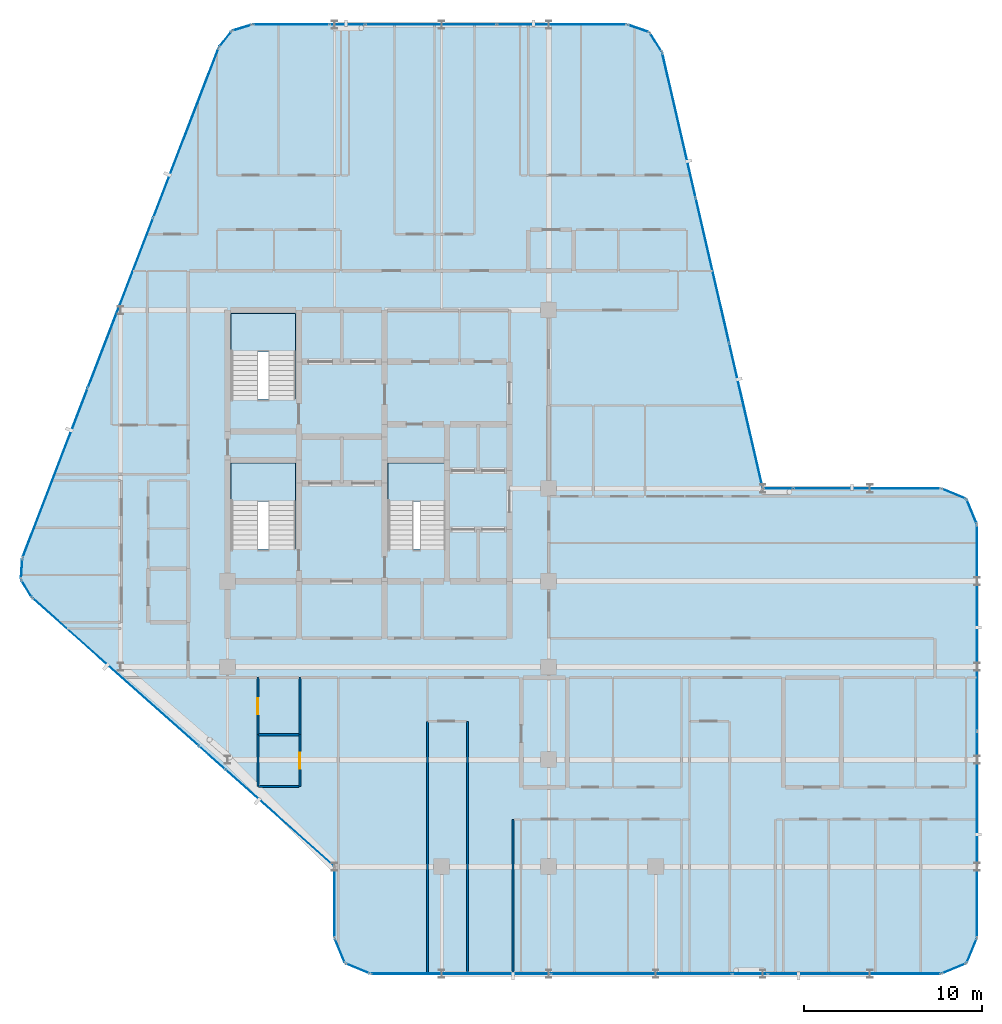
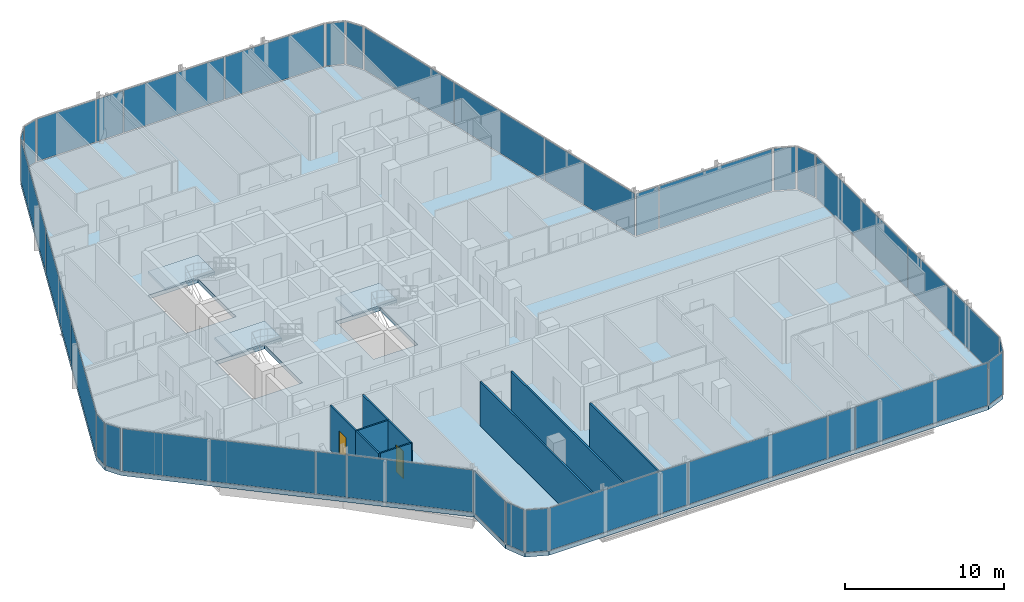
# One storey, part 22 of 29: 34 plates, 9 walls, 4 slabs, 2 doors, 2 openings, 30 elements without a shape of their own.
"""IFC4 building model written with IfcOpenShell, lengths in metres."""

from ifc_helpers import new_model, si_unit, direction, frame, frame_2d, origin, origin_2d, place, context, subcontext, project, spatial, polyline, rectangle, outline, extrude, material, layer, layer_set, type_object, element, fill, aggregate, save


model = new_model("IFC4")

# Units and contexts
model_context = context("Model", 3, precision=1e-05, world=origin(), true_north=direction((0.0, 1.0)))
body_context = subcontext(model_context, "Body", "Model", "MODEL_VIEW")
ifc_project = project(units=[si_unit("LENGTHUNIT", "METRE"), si_unit("AREAUNIT", "SQUARE_METRE"), si_unit("VOLUMEUNIT", "CUBIC_METRE"), si_unit("PLANEANGLEUNIT", "RADIAN"), si_unit("MASSUNIT", "GRAM", prefix="KILO")], contexts=[model_context])

# Site, building, storey
site_placement = place(None, origin())
site = spatial("IfcSite", under=ifc_project, at=site_placement, CompositionType="ELEMENT")
building_placement = place(site_placement, origin())
building = spatial("IfcBuilding", under=site, at=building_placement, Name="Keshet Zoharim Tower", CompositionType="ELEMENT")
storey_placement = place(building_placement, frame((0.0, 0.0, 188.39990234375)))
storey = spatial("IfcBuildingStorey", under=building, at=storey_placement, Name="L46", CompositionType="ELEMENT", Elevation=188.39990234375)

# Curtain wall, plate
ifc_material_1 = material(Name="Aluminium 6063-T6", Category="aluminium")
ifc_layer_1 = layer(ifc_material_1, 0.139892578125)
ifc_layer_set_1 = layer_set([ifc_layer_1], Name="Aluminium 6063-T6")
curtain_wall_type = type_object("IfcCurtainWallType", Name="CW-SYS-05", PredefinedType="NOTDEFINED", material=ifc_layer_set_1)
curtain_wall_1_placement = place(storey_placement, origin())
curtain_wall_1 = element("IfcCurtainWall", 1, at=curtain_wall_1_placement, inside=storey, type_object=curtain_wall_type, Name="L46 Unitised Curtain Wall 01", PredefinedType="NOTDEFINED")
ifc_material_2 = material(Name="Insulated Low-E Clear Glass", Category="glass")
ifc_layer_2 = layer(ifc_material_2, 0.031982421875)
ifc_layer_set_2 = layer_set([ifc_layer_2], Name="Insulated Low-E Clear Glass")
plate_type_1 = type_object("IfcPlateType", Name="CWP-02", PredefinedType="CURTAIN_PANEL", material=ifc_layer_set_2)
plate_1_placement = place(storey_placement, frame((55.70703125, 27.60693359375, 0.070068359375), z_axis=(0.0, 0.0, 1.0), x_axis=(0.92380975372, -0.382851849847, 0.0)))
plate_1 = element("IfcPlate", 2, at=plate_1_placement, type_object=plate_type_1, Name="CW-05 panel 1.1", PredefinedType="CURTAIN_PANEL", context=body_context, shape_type="SweptSolid", body=[
    extrude(rectangle(XDim=1.390625, YDim=0.031982421875, at=origin_2d()), origin(), (0.0, 0.0, 1.0), 3.25),
])
aggregate(curtain_wall_1, [plate_1])

curtain_wall_2_placement = place(storey_placement, origin())
curtain_wall_2 = element("IfcCurtainWall", 3, at=curtain_wall_2_placement, inside=storey, type_object=curtain_wall_type, Name="L46 Unitised Curtain Wall 02", PredefinedType="NOTDEFINED")
plate_2_placement = place(storey_placement, frame((56.70703125, 26.60693359375, 0.070068359375), z_axis=(0.0, 0.0, 1.0), x_axis=(0.382851849847, -0.92380975372, 0.0)))
plate_2 = element("IfcPlate", 4, at=plate_2_placement, type_object=plate_type_1, Name="CW-05 panel 1.1", PredefinedType="CURTAIN_PANEL", context=body_context, shape_type="SweptSolid", body=[
    extrude(rectangle(XDim=1.390625, YDim=0.031982421875, at=origin_2d()), origin(), (0.0, 0.0, 1.0), 3.25),
])
aggregate(curtain_wall_2, [plate_2])

# Curtain wall, plates
curtain_wall_3_placement = place(storey_placement, origin())
curtain_wall_3 = element("IfcCurtainWall", 5, at=curtain_wall_3_placement, inside=storey, type_object=curtain_wall_type, Name="L46 Unitised Curtain Wall 03", PredefinedType="NOTDEFINED")
plate_3_placement = place(storey_placement, frame((57.0, 20.08251953125, 0.070068359375), z_axis=(0.0, 0.0, 1.0), x_axis=(0.0, -1.0, 0.0)))
plate_3 = element("IfcPlate", 6, at=plate_3_placement, type_object=plate_type_1, Name="CW-05 panel 1.1", PredefinedType="CURTAIN_PANEL", context=body_context, shape_type="SweptSolid", body=[
    extrude(rectangle(XDim=11.4951171875, YDim=0.031982421875, at=origin_2d()), origin(), (0.0, 0.0, 1.0), 3.25),
])
plate_4_placement = place(storey_placement, frame((57.0, 8.517578125, 0.070068359375), z_axis=(0.0, 0.0, 1.0), x_axis=(0.0, -1.0, 0.0)))
plate_4 = element("IfcPlate", 7, at=plate_4_placement, type_object=plate_type_1, Name="CW-05 panel 2.1", PredefinedType="CURTAIN_PANEL", context=body_context, shape_type="SweptSolid", body=[
    extrude(rectangle(XDim=11.4951171875, YDim=0.031982421875, at=origin_2d()), origin(), (0.0, 0.0, 1.0), 3.25),
])
aggregate(curtain_wall_3, [plate_3, plate_4])

# Curtain wall, plate
curtain_wall_4_placement = place(storey_placement, origin())
curtain_wall_4 = element("IfcCurtainWall", 8, at=curtain_wall_4_placement, inside=storey, type_object=curtain_wall_type, Name="L46 Unitised Curtain Wall 04", PredefinedType="NOTDEFINED")
plate_5_placement = place(storey_placement, frame((56.70703125, 1.992919921875, 0.070068359375), z_axis=(0.0, 0.0, 1.0), x_axis=(-0.382851849847, -0.92380975372, 0.0)))
plate_5 = element("IfcPlate", 9, at=plate_5_placement, type_object=plate_type_1, Name="CW-05 panel 1.1", PredefinedType="CURTAIN_PANEL", context=body_context, shape_type="SweptSolid", body=[
    extrude(rectangle(XDim=1.390625, YDim=0.031982421875, at=origin_2d()), origin(), (0.0, 0.0, 1.0), 3.25),
])
aggregate(curtain_wall_4, [plate_5])

curtain_wall_5_placement = place(storey_placement, origin())
curtain_wall_5 = element("IfcCurtainWall", 10, at=curtain_wall_5_placement, inside=storey, type_object=curtain_wall_type, Name="L46 Unitised Curtain Wall 05", PredefinedType="NOTDEFINED")
plate_6_placement = place(storey_placement, frame((55.70703125, 0.992919921875, 0.070068359375), z_axis=(0.0, 0.0, 1.0), x_axis=(-0.92380975372, -0.382851849847, 0.0)))
plate_6 = element("IfcPlate", 11, at=plate_6_placement, type_object=plate_type_1, Name="CW-05 panel 1.1", PredefinedType="CURTAIN_PANEL", context=body_context, shape_type="SweptSolid", body=[
    extrude(rectangle(XDim=1.390625, YDim=0.031982421875, at=origin_2d()), origin(), (0.0, 0.0, 1.0), 3.25),
])
aggregate(curtain_wall_5, [plate_6])

curtain_wall_6_placement = place(storey_placement, origin())
curtain_wall_6 = element("IfcCurtainWall", 12, at=curtain_wall_6_placement, inside=storey, type_object=curtain_wall_type, Name="L46 Unitised Curtain Wall 06", PredefinedType="NOTDEFINED")
plate_7_placement = place(storey_placement, frame((50.1240234375, 0.699951171875, 0.070068359375), z_axis=(0.0, 0.0, 1.0), x_axis=(-1.0, 0.0, 0.0)))
plate_7 = element("IfcPlate", 13, at=plate_7_placement, type_object=plate_type_1, Name="CW-05 panel 1.1", PredefinedType="CURTAIN_PANEL", context=body_context, shape_type="SweptSolid", body=[
    extrude(rectangle(XDim=9.61181640625, YDim=0.031982421875, at=origin_2d()), origin(), (0.0, 0.0, 1.0), 3.25),
])
aggregate(curtain_wall_6, [plate_7])

# Curtain wall, plates
curtain_wall_7_placement = place(storey_placement, origin())
curtain_wall_7 = element("IfcCurtainWall", 14, at=curtain_wall_7_placement, inside=storey, type_object=curtain_wall_type, Name="L46 Unitised Curtain Wall 06 Part 3", PredefinedType="NOTDEFINED")
plate_8_placement = place(storey_placement, frame((38.20654296875, 0.699951171875, 0.070068359375), z_axis=(0.0, 0.0, 1.0), x_axis=(-1.0, 0.0, 0.0)))
plate_8 = element("IfcPlate", 15, at=plate_8_placement, type_object=plate_type_1, Name="CW-05 panel 1.1", PredefinedType="CURTAIN_PANEL", context=body_context, shape_type="SweptSolid", body=[
    extrude(rectangle(XDim=10.091064453125, YDim=0.031982421875, at=origin_2d()), origin(), (0.0, 0.0, 1.0), 3.25),
])
plate_9_placement = place(storey_placement, frame((28.08056640625, 0.699951171875, 0.070068359375), z_axis=(0.0, 0.0, 1.0), x_axis=(-1.0, 0.0, 0.0)))
plate_9 = element("IfcPlate", 16, at=plate_9_placement, type_object=plate_type_1, Name="CW-05 panel 2.1", PredefinedType="CURTAIN_PANEL", context=body_context, shape_type="SweptSolid", body=[
    extrude(rectangle(XDim=10.02099609375, YDim=0.031982421875, at=origin_2d()), origin(), (0.0, 0.0, 1.0), 3.25),
])
aggregate(curtain_wall_7, [plate_8, plate_9])

# Curtain wall, plate
curtain_wall_8_placement = place(storey_placement, origin())
curtain_wall_8 = element("IfcCurtainWall", 17, at=curtain_wall_8_placement, inside=storey, type_object=curtain_wall_type, Name="L46 Unitised Curtain Wall 07", PredefinedType="NOTDEFINED")
plate_10_placement = place(storey_placement, frame((22.29296875, 0.992919921875, 0.070068359375), z_axis=(0.0, 0.0, 1.0), x_axis=(-0.92380975372, 0.382851849847, 0.0)))
plate_10 = element("IfcPlate", 18, at=plate_10_placement, type_object=plate_type_1, Name="CW-05 panel 1.1", PredefinedType="CURTAIN_PANEL", context=body_context, shape_type="SweptSolid", body=[
    extrude(rectangle(XDim=1.390625, YDim=0.031982421875, at=origin_2d()), origin(), (0.0, 0.0, 1.0), 3.25),
])
aggregate(curtain_wall_8, [plate_10])

curtain_wall_9_placement = place(storey_placement, origin())
curtain_wall_9 = element("IfcCurtainWall", 19, at=curtain_wall_9_placement, inside=storey, type_object=curtain_wall_type, Name="L46 Unitised Curtain Wall 08", PredefinedType="NOTDEFINED")
plate_11_placement = place(storey_placement, frame((21.29296875, 1.992919921875, 0.070068359375), z_axis=(0.0, 0.0, 1.0), x_axis=(-0.382851849847, 0.92380975372, 0.0)))
plate_11 = element("IfcPlate", 20, at=plate_11_placement, type_object=plate_type_1, Name="CW-05 panel 1.1", PredefinedType="CURTAIN_PANEL", context=body_context, shape_type="SweptSolid", body=[
    extrude(rectangle(XDim=1.390625, YDim=0.031982421875, at=origin_2d()), origin(), (0.0, 0.0, 1.0), 3.25),
])
aggregate(curtain_wall_9, [plate_11])

curtain_wall_10_placement = place(storey_placement, origin())
curtain_wall_10 = element("IfcCurtainWall", 21, at=curtain_wall_10_placement, inside=storey, type_object=curtain_wall_type, Name="L46 Unitised Curtain Wall 09", PredefinedType="NOTDEFINED")
plate_12_placement = place(storey_placement, frame((21.0, 4.699951171875, 0.070068359375), z_axis=(0.0, 0.0, 1.0), x_axis=(0.0, 1.0, 0.0)))
plate_12 = element("IfcPlate", 22, at=plate_12_placement, type_object=plate_type_1, Name="CW-05 panel 1.1", PredefinedType="CURTAIN_PANEL", context=body_context, shape_type="SweptSolid", body=[
    extrude(rectangle(XDim=3.860107421875, YDim=0.031982421875, at=origin_2d()), origin(), (0.0, 0.0, 1.0), 3.25),
])
aggregate(curtain_wall_10, [plate_12])

curtain_wall_11_placement = place(storey_placement, origin())
curtain_wall_11 = element("IfcCurtainWall", 23, at=curtain_wall_11_placement, inside=storey, type_object=curtain_wall_type, Name="L46 Unitised Curtain Wall 10", PredefinedType="NOTDEFINED")
plate_13_placement = place(storey_placement, frame((17.92724609375, 9.431396484375, 0.070068359375), z_axis=(0.0, 0.0, 1.0), x_axis=(-0.74740596379, 0.664367613066, 0.0)))
plate_13 = element("IfcPlate", 24, at=plate_13_placement, type_object=plate_type_1, Name="CW-05 panel 1.1", PredefinedType="CURTAIN_PANEL", context=body_context, shape_type="SweptSolid", body=[
    extrude(rectangle(XDim=8.082763671875, YDim=0.031982421875, at=origin_2d()), origin(), (0.0, 0.0, 1.0), 3.25),
])
aggregate(curtain_wall_11, [plate_13])

curtain_wall_12_placement = place(storey_placement, origin())
curtain_wall_12 = element("IfcCurtainWall", 25, at=curtain_wall_12_placement, inside=storey, type_object=curtain_wall_type, Name="L46 Unitised Curtain Wall 10 Part 3", PredefinedType="NOTDEFINED")
plate_14_placement = place(storey_placement, frame((8.724853515625, 17.611328125, 0.070068359375), z_axis=(0.0, 0.0, 1.0), x_axis=(-0.747406666066, 0.664366823013, 0.0)))
plate_14 = element("IfcPlate", 26, at=plate_14_placement, type_object=plate_type_1, Name="CW-05 panel 1.1", PredefinedType="CURTAIN_PANEL", context=body_context, shape_type="SweptSolid", body=[
    extrude(rectangle(XDim=12.40966796875, YDim=0.031982421875, at=origin_2d()), origin(), (0.0, 0.0, 1.0), 3.25),
])
aggregate(curtain_wall_12, [plate_14])

curtain_wall_13_placement = place(storey_placement, origin())
curtain_wall_13 = element("IfcCurtainWall", 27, at=curtain_wall_13_placement, inside=storey, type_object=curtain_wall_type, Name="L46 Unitised Curtain Wall 11", PredefinedType="NOTDEFINED")
plate_15_placement = place(storey_placement, frame((3.7275390625, 22.291015625, 0.070068359375), z_axis=(0.0, 0.0, 1.0), x_axis=(-0.515604947933, 0.856826433805, 0.0)))
plate_15 = element("IfcPlate", 28, at=plate_15_placement, type_object=plate_type_1, Name="CW-05 panel 1.1", PredefinedType="CURTAIN_PANEL", context=body_context, shape_type="SweptSolid", body=[
    extrude(rectangle(XDim=1.052734375, YDim=0.031982421875, at=origin_2d()), origin(), (0.0, 0.0, 1.0), 3.25),
])
aggregate(curtain_wall_13, [plate_15])

curtain_wall_14_placement = place(storey_placement, origin())
curtain_wall_14 = element("IfcCurtainWall", 29, at=curtain_wall_14_placement, inside=storey, type_object=curtain_wall_type, Name="L46 Unitised Curtain Wall 12", PredefinedType="NOTDEFINED")
plate_16_placement = place(storey_placement, frame((3.45849609375, 23.3974609375, 0.070068359375), z_axis=(0.0, 0.0, 1.0), x_axis=(0.064516859374, 0.997916617186, 0.0)))
plate_16 = element("IfcPlate", 30, at=plate_16_placement, type_object=plate_type_1, Name="CW-05 panel 1.1", PredefinedType="CURTAIN_PANEL", context=body_context, shape_type="SweptSolid", body=[
    extrude(rectangle(XDim=1.053466796875, YDim=0.031982421875, at=origin_2d()), origin(), (0.0, 0.0, 1.0), 3.25),
])
aggregate(curtain_wall_14, [plate_16])

# Curtain wall, plates
curtain_wall_15_placement = place(storey_placement, origin())
curtain_wall_15 = element("IfcCurtainWall", 31, at=curtain_wall_15_placement, inside=storey, type_object=curtain_wall_type, Name="L46 Unitised Curtain Wall 13", PredefinedType="NOTDEFINED")
plate_17_placement = place(storey_placement, frame((5.33837890625, 28.7802734375, 0.070068359375), z_axis=(0.0, 0.0, 1.0), x_axis=(0.358990003907, 0.933341404361, 0.0)))
plate_17 = element("IfcPlate", 32, at=plate_17_placement, type_object=plate_type_1, Name="CW-05 panel 1.1", PredefinedType="CURTAIN_PANEL", context=body_context, shape_type="SweptSolid", body=[
    extrude(rectangle(XDim=10.1181640625, YDim=0.031982421875, at=origin_2d()), origin(), (0.0, 0.0, 1.0), 3.25),
])
plate_18_placement = place(storey_placement, frame((9.001953125, 38.305419921875, 0.070068359375), z_axis=(0.0, 0.0, 1.0), x_axis=(0.358990003907, 0.933341404361, 0.0)))
plate_18 = element("IfcPlate", 33, at=plate_18_placement, type_object=plate_type_1, Name="CW-05 panel 2.1", PredefinedType="CURTAIN_PANEL", context=body_context, shape_type="SweptSolid", body=[
    extrude(rectangle(XDim=10.153076171875, YDim=0.031982421875, at=origin_2d()), origin(), (0.0, 0.0, 1.0), 3.25),
])
plate_19_placement = place(storey_placement, frame((12.665771484375, 47.830810546875, 0.070068359375), z_axis=(0.0, 0.0, 1.0), x_axis=(0.358990003907, 0.933341404361, 0.0)))
plate_19 = element("IfcPlate", 34, at=plate_19_placement, type_object=plate_type_1, Name="CW-05 panel 3.1", PredefinedType="CURTAIN_PANEL", context=body_context, shape_type="SweptSolid", body=[
    extrude(rectangle(XDim=10.1181640625, YDim=0.031982421875, at=origin_2d()), origin(), (0.0, 0.0, 1.0), 3.25),
])
aggregate(curtain_wall_15, [plate_17, plate_18, plate_19])

# Curtain wall, plate
curtain_wall_16_placement = place(storey_placement, origin())
curtain_wall_16 = element("IfcCurtainWall", 35, at=curtain_wall_16_placement, inside=storey, type_object=curtain_wall_type, Name="L46 Unitised Curtain Wall 14", PredefinedType="NOTDEFINED")
plate_20_placement = place(storey_placement, frame((14.8740234375, 53.08349609375, 0.070068359375), z_axis=(0.0, 0.0, 1.0), x_axis=(0.619124525989, 0.785292825205, 0.0)))
plate_20 = element("IfcPlate", 36, at=plate_20_placement, type_object=plate_type_1, Name="CW-05 panel 1.1", PredefinedType="CURTAIN_PANEL", context=body_context, shape_type="SweptSolid", body=[
    extrude(rectangle(XDim=1.045654296875, YDim=0.031982421875, at=origin_2d()), origin(), (0.0, 0.0, 1.0), 3.25),
])
aggregate(curtain_wall_16, [plate_20])

curtain_wall_17_placement = place(storey_placement, origin())
curtain_wall_17 = element("IfcCurtainWall", 37, at=curtain_wall_17_placement, inside=storey, type_object=curtain_wall_type, Name="L46 Unitised Curtain Wall 15", PredefinedType="NOTDEFINED")
plate_21_placement = place(storey_placement, frame((15.8076171875, 53.724609375, 0.070068359375), z_axis=(0.0, 0.0, 1.0), x_axis=(0.955212151288, 0.295921857984, 0.0)))
plate_21 = element("IfcPlate", 38, at=plate_21_placement, type_object=plate_type_1, Name="CW-05 panel 1.1", PredefinedType="CURTAIN_PANEL", context=body_context, shape_type="SweptSolid", body=[
    extrude(rectangle(XDim=1.046142578125, YDim=0.031982421875, at=origin_2d()), origin(), (0.0, 0.0, 1.0), 3.25),
])
aggregate(curtain_wall_17, [plate_21])

curtain_wall_18_placement = place(storey_placement, origin())
curtain_wall_18 = element("IfcCurtainWall", 39, at=curtain_wall_18_placement, inside=storey, type_object=curtain_wall_type, Name="L46 Unitised Curtain Wall 16", PredefinedType="NOTDEFINED")
plate_22_placement = place(storey_placement, frame((18.56298828125, 53.89990234375, 0.070068359375), z_axis=(0.0, 0.0, 1.0), x_axis=(1.0, 0.0, 0.0)))
plate_22 = element("IfcPlate", 40, at=plate_22_placement, type_object=plate_type_1, Name="CW-05 panel 1.1", PredefinedType="CURTAIN_PANEL", context=body_context, shape_type="SweptSolid", body=[
    extrude(rectangle(XDim=4.23779296875, YDim=0.031982421875, at=origin_2d()), origin(), (0.0, 0.0, 1.0), 3.25),
])
aggregate(curtain_wall_18, [plate_22])

# Curtain wall, plates
curtain_wall_19_placement = place(storey_placement, origin())
curtain_wall_19 = element("IfcCurtainWall", 41, at=curtain_wall_19_placement, inside=storey, type_object=curtain_wall_type, Name="L46 Unitised Curtain Wall 16 Part 3", PredefinedType="NOTDEFINED")
plate_23_placement = place(storey_placement, frame((26.395751953125, 53.89990234375, 0.070068359375), z_axis=(0.0, 0.0, 1.0), x_axis=(1.0, 0.0, 0.0)))
plate_23 = element("IfcPlate", 42, at=plate_23_placement, type_object=plate_type_1, Name="CW-05 panel 1.1", PredefinedType="CURTAIN_PANEL", context=body_context, shape_type="SweptSolid", body=[
    extrude(rectangle(XDim=7.29541015625, YDim=0.031982421875, at=origin_2d()), origin(), (0.0, 0.0, 1.0), 3.25),
])
plate_24_placement = place(storey_placement, frame((33.726318359375, 53.89990234375, 0.070068359375), z_axis=(0.0, 0.0, 1.0), x_axis=(1.0, 0.0, 0.0)))
plate_24 = element("IfcPlate", 43, at=plate_24_placement, type_object=plate_type_1, Name="CW-05 panel 2.1", PredefinedType="CURTAIN_PANEL", context=body_context, shape_type="SweptSolid", body=[
    extrude(rectangle(XDim=7.225341796875, YDim=0.031982421875, at=origin_2d()), origin(), (0.0, 0.0, 1.0), 3.25),
])
aggregate(curtain_wall_19, [plate_23, plate_24])

# Curtain wall, plate
curtain_wall_20_placement = place(storey_placement, origin())
curtain_wall_20 = element("IfcCurtainWall", 44, at=curtain_wall_20_placement, inside=storey, type_object=curtain_wall_type, Name="L46 Unitised Curtain Wall 17", PredefinedType="NOTDEFINED")
plate_25_placement = place(storey_placement, frame((38.031494140625, 53.6826171875, 0.070068359375), z_axis=(0.0, 0.0, 1.0), x_axis=(0.944035542119, -0.329843743636, 0.0)))
plate_25 = element("IfcPlate", 45, at=plate_25_placement, type_object=plate_type_1, Name="CW-05 panel 1.1", PredefinedType="CURTAIN_PANEL", context=body_context, shape_type="SweptSolid", body=[
    extrude(rectangle(XDim=1.1787109375, YDim=0.031982421875, at=origin_2d()), origin(), (0.0, 0.0, 1.0), 3.25),
])
aggregate(curtain_wall_20, [plate_25])

curtain_wall_21_placement = place(storey_placement, origin())
curtain_wall_21 = element("IfcCurtainWall", 46, at=curtain_wall_21_placement, inside=storey, type_object=curtain_wall_type, Name="L46 Unitised Curtain Wall 18", PredefinedType="NOTDEFINED")
plate_26_placement = place(storey_placement, frame((39.006103515625, 52.907470703125, 0.070068359375), z_axis=(0.0, 0.0, 1.0), x_axis=(0.533878858502, -0.845560976183, 0.0)))
plate_26 = element("IfcPlate", 47, at=plate_26_placement, type_object=plate_type_1, Name="CW-05 panel 1.1", PredefinedType="CURTAIN_PANEL", context=body_context, shape_type="SweptSolid", body=[
    extrude(rectangle(XDim=1.1787109375, YDim=0.031982421875, at=origin_2d()), origin(), (0.0, 0.0, 1.0), 3.25),
])
aggregate(curtain_wall_21, [plate_26])

# Curtain wall, plates
curtain_wall_22_placement = place(storey_placement, origin())
curtain_wall_22 = element("IfcCurtainWall", 48, at=curtain_wall_22_placement, inside=storey, type_object=curtain_wall_type, Name="L46 Unitised Curtain Wall 19", PredefinedType="NOTDEFINED")
plate_27_placement = place(storey_placement, frame((40.30224609375, 48.258056640625, 0.070068359375), z_axis=(0.0, 0.0, 1.0), x_axis=(0.224847864369, -0.974393882313, 0.0)))
plate_27 = element("IfcPlate", 49, at=plate_27_placement, type_object=plate_type_1, Name="CW-05 panel 1.1", PredefinedType="CURTAIN_PANEL", context=body_context, shape_type="SweptSolid", body=[
    extrude(rectangle(XDim=8.25927734375, YDim=0.031982421875, at=origin_2d()), origin(), (0.0, 0.0, 1.0), 3.25),
])
plate_28_placement = place(storey_placement, frame((42.178955078125, 40.125, 0.070068359375), z_axis=(0.0, 0.0, 1.0), x_axis=(0.224847864369, -0.974393882313, 0.0)))
plate_28 = element("IfcPlate", 50, at=plate_28_placement, type_object=plate_type_1, Name="CW-05 panel 2.1", PredefinedType="CURTAIN_PANEL", context=body_context, shape_type="SweptSolid", body=[
    extrude(rectangle(XDim=8.294189453125, YDim=0.031982421875, at=origin_2d()), origin(), (0.0, 0.0, 1.0), 3.25),
])
plate_29_placement = place(storey_placement, frame((44.0556640625, 31.991943359375, 0.070068359375), z_axis=(0.0, 0.0, 1.0), x_axis=(0.224847864369, -0.974393882313, 0.0)))
plate_29 = element("IfcPlate", 51, at=plate_29_placement, type_object=plate_type_1, Name="CW-05 panel 3.1", PredefinedType="CURTAIN_PANEL", context=body_context, shape_type="SweptSolid", body=[
    extrude(rectangle(XDim=8.25927734375, YDim=0.031982421875, at=origin_2d()), origin(), (0.0, 0.0, 1.0), 3.25),
])
aggregate(curtain_wall_22, [plate_27, plate_28, plate_29])

# Curtain wall, plate
curtain_wall_23_placement = place(storey_placement, origin())
curtain_wall_23 = element("IfcCurtainWall", 52, at=curtain_wall_23_placement, inside=storey, type_object=curtain_wall_type, Name="L46 Unitised Curtain Wall 20 Part 2", PredefinedType="NOTDEFINED")
plate_30_placement = place(storey_placement, frame((50.839111328125, 27.89990234375, 0.070068359375), z_axis=(0.0, 0.0, 1.0), x_axis=(1.0, 0.0, 0.0)))
plate_30 = element("IfcPlate", 53, at=plate_30_placement, type_object=plate_type_1, Name="CW-05 panel 1.1", PredefinedType="CURTAIN_PANEL", context=body_context, shape_type="SweptSolid", body=[
    extrude(rectangle(XDim=8.181884765625, YDim=0.031982421875, at=origin_2d()), origin(), (0.0, 0.0, 1.0), 3.25),
])
aggregate(curtain_wall_23, [plate_30])

curtain_wall_24_placement = place(storey_placement, origin())
curtain_wall_24 = element("IfcCurtainWall", 54, at=curtain_wall_24_placement, inside=storey, type_object=curtain_wall_type, Name="L46 Unitised Curtain Wall 06 Part 2", PredefinedType="NOTDEFINED")
ifc_material_3 = material(Name="Insulated Aluminium Spandrel Panel", Category="aluminium")
ifc_layer_3 = layer(ifc_material_3, 0.031982421875)
ifc_layer_set_3 = layer_set([ifc_layer_3], Name="Insulated Aluminium Spandrel Panel")
plate_type_2 = type_object("IfcPlateType", Name="CWP-05", PredefinedType="CURTAIN_PANEL", material=ifc_layer_set_3)
plate_31_placement = place(storey_placement, frame((44.284912109375, 0.699951171875, 0.070068359375), z_axis=(0.0, 0.0, 1.0), x_axis=(-1.0, 0.0, 0.0)))
plate_31 = element("IfcPlate", 55, at=plate_31_placement, type_object=plate_type_2, Name="CW-05 spandrel panel 1.1", PredefinedType="CURTAIN_PANEL", context=body_context, shape_type="SweptSolid", body=[
    extrude(rectangle(XDim=1.92626953125, YDim=0.031982421875, at=origin_2d()), origin(), (0.0, 0.0, 1.0), 3.25),
])
aggregate(curtain_wall_24, [plate_31])

curtain_wall_25_placement = place(storey_placement, origin())
curtain_wall_25 = element("IfcCurtainWall", 56, at=curtain_wall_25_placement, inside=storey, type_object=curtain_wall_type, Name="L46 Unitised Curtain Wall 10 Part 2", PredefinedType="NOTDEFINED")
plate_32_placement = place(storey_placement, frame((14.134521484375, 12.802734375, 0.070068359375), z_axis=(0.0, 0.0, 1.0), x_axis=(-0.747439721297, 0.664329634314, 0.0)))
plate_32 = element("IfcPlate", 57, at=plate_32_placement, type_object=plate_type_2, Name="CW-05 spandrel panel 1.1", PredefinedType="CURTAIN_PANEL", context=body_context, shape_type="SweptSolid", body=[
    extrude(rectangle(XDim=1.92626953125, YDim=0.031982421875, at=origin_2d()), origin(), (0.0, 0.0, 1.0), 3.25),
])
aggregate(curtain_wall_25, [plate_32])

curtain_wall_26_placement = place(storey_placement, origin())
curtain_wall_26 = element("IfcCurtainWall", 58, at=curtain_wall_26_placement, inside=storey, type_object=curtain_wall_type, Name="L46 Unitised Curtain Wall 16 Part 2", PredefinedType="NOTDEFINED")
plate_33_placement = place(storey_placement, frame((21.715087890625, 53.89990234375, 0.070068359375), z_axis=(0.0, 0.0, 1.0), x_axis=(1.0, 0.0, 0.0)))
plate_33 = element("IfcPlate", 59, at=plate_33_placement, type_object=plate_type_2, Name="CW-05 spandrel panel 1.1", PredefinedType="CURTAIN_PANEL", context=body_context, shape_type="SweptSolid", body=[
    extrude(rectangle(XDim=1.92626953125, YDim=0.031982421875, at=origin_2d()), origin(), (0.0, 0.0, 1.0), 3.25),
])
aggregate(curtain_wall_26, [plate_33])

curtain_wall_27_placement = place(storey_placement, origin())
curtain_wall_27 = element("IfcCurtainWall", 60, at=curtain_wall_27_placement, inside=storey, type_object=curtain_wall_type, Name="L46 Unitised Curtain Wall 20", PredefinedType="NOTDEFINED")
plate_34_placement = place(storey_placement, frame((45.8740234375, 27.89990234375, 0.070068359375), z_axis=(0.0, 0.0, 1.0), x_axis=(1.0, 0.0, 0.0)))
plate_34 = element("IfcPlate", 61, at=plate_34_placement, type_object=plate_type_2, Name="CW-05 spandrel panel 1.1", PredefinedType="CURTAIN_PANEL", context=body_context, shape_type="SweptSolid", body=[
    extrude(rectangle(XDim=1.608154296875, YDim=0.031982421875, at=origin_2d()), origin(), (0.0, 0.0, 1.0), 3.25),
])
aggregate(curtain_wall_27, [plate_34])

# Stair, slab
ifc_material_4 = material(Name="Concrete C50/60", Category="concrete")
stair_type = type_object("IfcStairType", Name="STR-EXIT-135", PredefinedType="HALF_TURN_STAIR", material=ifc_material_4)
stair_1_placement = place(storey_placement, origin())
stair_1 = element("IfcStair", 62, at=stair_1_placement, inside=storey, type_object=stair_type, Name="L46 Enclosed Exit Stair ST-01", PredefinedType="HALF_TURN_STAIR")
ifc_layer_4 = layer(ifc_material_4, 0.199951171875)
ifc_layer_set_4 = layer_set([ifc_layer_4], Name="Concrete C50/60")
slab_type_1 = type_object("IfcSlabType", Name="SLB-LND-200", PredefinedType="LANDING", material=ifc_layer_set_4)
slab_1_placement = place(storey_placement, frame((0.0, 0.0, 1.650146484375)))
slab_1 = element("IfcSlab", 63, at=slab_1_placement, type_object=slab_type_1, Name="ST-01 landing 1", PredefinedType="LANDING", context=body_context, shape_type="SweptSolid", body=[
    extrude(outline(polyline([(15.179931640625, 27.159912109375), (18.820068359375, 27.159912109375), (18.820068359375, 29.320068359375), (15.179931640625, 29.320068359375), (15.179931640625, 27.159912109375)])), origin(), (0.0, 0.0, 1.0), 0.199951171875),
])
aggregate(stair_1, [slab_1])

stair_2_placement = place(storey_placement, origin())
stair_2 = element("IfcStair", 64, at=stair_2_placement, inside=storey, type_object=stair_type, Name="L46 Enclosed Exit Stair ST-02", PredefinedType="HALF_TURN_STAIR")
slab_2_placement = place(storey_placement, frame((0.0, 0.0, 1.650146484375)))
slab_2 = element("IfcSlab", 65, at=slab_2_placement, type_object=slab_type_1, Name="ST-02 landing 1", PredefinedType="LANDING", context=body_context, shape_type="SweptSolid", body=[
    extrude(outline(polyline([(15.179931640625, 35.56005859375), (18.820068359375, 35.56005859375), (18.820068359375, 37.719970703125), (15.179931640625, 37.719970703125), (15.179931640625, 35.56005859375)])), origin(), (0.0, 0.0, 1.0), 0.199951171875),
])
aggregate(stair_2, [slab_2])

stair_3_placement = place(storey_placement, origin())
stair_3 = element("IfcStair", 66, at=stair_3_placement, inside=storey, type_object=stair_type, Name="L46 Enclosed Exit Stair ST-03", PredefinedType="HALF_TURN_STAIR")
slab_3_placement = place(storey_placement, frame((0.0, 0.0, 1.650146484375)))
slab_3 = element("IfcSlab", 67, at=slab_3_placement, type_object=slab_type_1, Name="ST-03 landing 1", PredefinedType="LANDING", context=body_context, shape_type="SweptSolid", body=[
    extrude(outline(polyline([(23.97998046875, 27.159912109375), (27.219970703125, 27.159912109375), (27.219970703125, 29.320068359375), (23.97998046875, 29.320068359375), (23.97998046875, 27.159912109375)])), origin(), (0.0, 0.0, 1.0), 0.199951171875),
])
aggregate(stair_3, [slab_3])

# Slab
ifc_layer_5 = layer(ifc_material_4, 0.31005859375)
ifc_layer_set_5 = layer_set([ifc_layer_5], Name="Concrete C50/60")
slab_type_2 = type_object("IfcSlabType", Name="SLB-UPP-240", PredefinedType="FLOOR", material=ifc_layer_set_5)
slab_4_placement = place(storey_placement, frame((0.0, 0.0, -0.309814453125)))
element("IfcSlab", 68, at=slab_4_placement, inside=storey, type_object=slab_type_2, Name="L46 Structural Floor Slab 1", PredefinedType="FLOOR", context=body_context, shape_type="SweptSolid", body=[
    extrude(outline(polyline([(55.0, 27.89990234375), (56.4140625, 27.31396484375), (57.0, 25.89990234375), (57.0, 2.699951171875), (56.4140625, 1.285888671875), (55.0, 0.699951171875), (23.0, 0.699951171875), (21.5859375, 1.285888671875), (21.0, 2.699951171875), (21.0, 6.699951171875), (4.034912109375, 21.780029296875), (3.419921875, 22.802001953125), (3.4970703125, 23.992919921875), (14.507080078125, 52.617919921875), (15.240966796875, 53.549072265625), (16.3740234375, 53.89990234375), (37.408935546875, 53.89990234375), (38.654052734375, 53.465087890625), (39.35791015625, 52.35009765625), (45.0, 27.89990234375), (55.0, 27.89990234375)]), holes=[polyline([(15.179931640625, 24.52001953125), (18.820068359375, 24.52001953125), (18.820068359375, 29.320068359375), (15.179931640625, 29.320068359375), (15.179931640625, 24.52001953125)]), polyline([(15.179931640625, 32.919921875), (18.820068359375, 32.919921875), (18.820068359375, 37.719970703125), (15.179931640625, 37.719970703125), (15.179931640625, 32.919921875)]), polyline([(23.97998046875, 24.52001953125), (27.219970703125, 24.52001953125), (27.219970703125, 29.320068359375), (23.97998046875, 29.320068359375), (23.97998046875, 24.52001953125)])]), origin(), (0.0, 0.0, 1.0), 0.309814453125),
])

# Wall, opening, door
ifc_material_5 = material(Name="Gypsum Plasterboard", Category="gypsum")
ifc_layer_6 = layer(ifc_material_5, 0.1201171875)
ifc_layer_set_6 = layer_set([ifc_layer_6], Name="Gypsum Plasterboard")
wall_type_1 = type_object("IfcWallType", Name="WL-PART-120", PredefinedType="PARTITIONING", material=ifc_layer_set_6)
wall_1_placement = place(storey_placement, frame((16.699951171875, 14.10009765625, 0.0), z_axis=(0.0, 0.0, 1.0), x_axis=(0.0, 1.0, 0.0)))
wall_1 = element("IfcWall", 69, at=wall_1_placement, inside=storey, type_object=wall_type_1, Name="L46 Interior Wall 021", PredefinedType="PARTITIONING", context=body_context, shape_type="SweptSolid", body=[
    extrude(rectangle(XDim=3.199951171875, YDim=0.1201171875, at=frame_2d((1.60009765625, 0.0))), origin(), (0.0, 0.0, 1.0), 3.39013671875),
])
opening_1_placement = place(wall_1_placement, frame((1.14990234375, 0.0, 0.0)))
opening_1 = element("IfcOpeningElement", 70, at=opening_1_placement, cuts=wall_1, Name="Opening D-IN90", PredefinedType="OPENING", context=body_context, shape_type="SweptSolid", body=[
    extrude(rectangle(XDim=0.89990234375, YDim=2.14990234375, at=frame_2d((0.449951171875, 1.074951171875))), frame((0.0, 0.070068359375, 0.0), z_axis=(0.0, -1.0, 0.0), x_axis=(1.0, 0.0, 0.0)), (0.0, 0.0, 1.0), 0.14013671875),
])
ifc_material_6 = material(Name="Hardwood Timber", Category="wood")
door_type_1 = type_object("IfcDoorType", Name="DR-INT-090", OperationType="NOTDEFINED", PredefinedType="DOOR", material=ifc_material_6)
door_1_placement = place(opening_1_placement, origin())
door_1 = element("IfcDoor", 71, at=door_1_placement, inside=storey, type_object=door_type_1, Name="Apartment 4601 Kitchenette Door", OperationType="SINGLE_SWING_RIGHT", OverallHeight=2.14990234375, OverallWidth=0.89990234375, PredefinedType="DOOR", context=body_context, shape_type="SweptSolid", body=[
    extrude(rectangle(XDim=0.89990234375, YDim=2.14990234375, at=frame_2d((0.449951171875, 1.074951171875))), frame((0.0, 0.02490234375, 0.0), z_axis=(0.0, -1.0, 0.0), x_axis=(1.0, 0.0, 0.0)), (0.0, 0.0, 1.0), 0.050048828125),
])
fill(opening_1, door_1)

# Walls
wall_2_placement = place(storey_placement, frame((19.050048828125, 14.10009765625, 0.0), z_axis=(0.0, 0.0, 1.0), x_axis=(0.0, 1.0, 0.0)))
element("IfcWall", 72, at=wall_2_placement, inside=storey, type_object=wall_type_1, Name="L46 Interior Wall 030", PredefinedType="PARTITIONING", context=body_context, shape_type="SweptSolid", body=[
    extrude(rectangle(XDim=3.199951171875, YDim=0.1201171875, at=frame_2d((1.60009765625, 0.0))), origin(), (0.0, 0.0, 1.0), 3.39013671875),
])
for number, where, z_axis, x_axis, name in (
    (73, (26.199951171875, 0.7099609375, 0.0), (0.0, 0.0, 1.0), (0.0, 1.0, 0.0), "L46 Interior Wall 046"),
    (74, (28.449951171875, 0.7099609375, 0.0), (0.0, 0.0, 1.0), (0.0, 1.0, 0.0), "L46 Interior Wall 055"),
):
    element("IfcWall", number, at=place(storey_placement, frame(where, z_axis=z_axis, x_axis=x_axis)), inside=storey, type_object=wall_type_1, Name=name, PredefinedType="PARTITIONING", context=body_context, shape_type="SweptSolid", body=[
        extrude(rectangle(XDim=14.14013671875, YDim=0.1201171875, at=frame_2d((7.070068359375, 0.0))), origin(), (0.0, 0.0, 1.0), 3.39013671875),
    ])
wall_3_placement = place(storey_placement, frame((31.0, 0.7099609375, 0.0), z_axis=(0.0, 0.0, 1.0), x_axis=(0.0, 1.0, 0.0)))
element("IfcWall", 75, at=wall_3_placement, inside=storey, type_object=wall_type_1, Name="L46 Interior Wall 065", PredefinedType="PARTITIONING", context=body_context, shape_type="SweptSolid", body=[
    extrude(rectangle(XDim=8.64013671875, YDim=0.1201171875, at=frame_2d((4.320068359375, 0.0))), origin(), (0.0, 0.0, 1.0), 3.39013671875),
])
ifc_layer_7 = layer(ifc_material_5, 0.1201171875)
ifc_layer_set_7 = layer_set([ifc_layer_7], Name="Gypsum Plasterboard")
wall_type_2 = type_object("IfcWallType", Name="WL-WET-120", PredefinedType="PARTITIONING", material=ifc_layer_set_7)
wall_4_placement = place(storey_placement, frame((16.699951171875, 11.199951171875, 0.0), z_axis=(0.0, 0.0, 1.0), x_axis=(0.0, 1.0, 0.0)))
element("IfcWall", 76, at=wall_4_placement, inside=storey, type_object=wall_type_2, Name="L46 Interior Wall 020", PredefinedType="PARTITIONING", context=body_context, shape_type="SweptSolid", body=[
    extrude(rectangle(XDim=2.900146484375, YDim=0.1201171875, at=frame_2d((1.4501953125, 0.0))), origin(), (0.0, 0.0, 1.0), 3.39013671875),
])

# Wall, opening, door
wall_5_placement = place(storey_placement, frame((19.050048828125, 11.199951171875, 0.0), z_axis=(0.0, 0.0, 1.0), x_axis=(0.0, 1.0, 0.0)))
wall_5 = element("IfcWall", 77, at=wall_5_placement, inside=storey, type_object=wall_type_2, Name="L46 Interior Wall 029", PredefinedType="PARTITIONING", context=body_context, shape_type="SweptSolid", body=[
    extrude(rectangle(XDim=2.900146484375, YDim=0.1201171875, at=frame_2d((1.4501953125, 0.0))), origin(), (0.0, 0.0, 1.0), 3.39013671875),
])
opening_2_placement = place(wall_5_placement, frame((1.0, 0.0, 0.0)))
opening_2 = element("IfcOpeningElement", 78, at=opening_2_placement, cuts=wall_5, Name="Opening D-WT90", PredefinedType="OPENING", context=body_context, shape_type="SweptSolid", body=[
    extrude(rectangle(XDim=0.89990234375, YDim=2.10009765625, at=frame_2d((0.449951171875, 1.050048828125))), frame((0.0, 0.070068359375, 0.0), z_axis=(0.0, -1.0, 0.0), x_axis=(1.0, 0.0, 0.0)), (0.0, 0.0, 1.0), 0.14013671875),
])
door_type_2 = type_object("IfcDoorType", Name="DR-WET-090", OperationType="NOTDEFINED", PredefinedType="DOOR", material=ifc_material_6)
door_2_placement = place(opening_2_placement, origin())
door_2 = element("IfcDoor", 79, at=door_2_placement, inside=storey, type_object=door_type_2, Name="Apartment 4601 Bathroom Door", OperationType="SINGLE_SWING_LEFT", OverallHeight=2.10009765625, OverallWidth=0.89990234375, PredefinedType="DOOR", context=body_context, shape_type="SweptSolid", body=[
    extrude(rectangle(XDim=0.89990234375, YDim=2.10009765625, at=frame_2d((0.449951171875, 1.050048828125))), frame((0.0, 0.02490234375, 0.0), z_axis=(0.0, -1.0, 0.0), x_axis=(1.0, 0.0, 0.0)), (0.0, 0.0, 1.0), 0.050048828125),
])
fill(opening_2, door_2)

# Walls
for number, where, z_axis, x_axis, name in (
    (80, (16.7451171875, 11.199951171875, 0.0), (0.0, 0.0, 1.0), (1.0, 0.0, 0.0), "L46 Interior Wall 114"),
    (81, (16.7451171875, 14.10009765625, 0.0), (0.0, 0.0, 1.0), (1.0, 0.0, 0.0), "L46 Interior Wall 115"),
):
    element("IfcWall", number, at=place(storey_placement, frame(where, z_axis=z_axis, x_axis=x_axis)), inside=storey, type_object=wall_type_2, Name=name, PredefinedType="PARTITIONING", context=body_context, shape_type="SweptSolid", body=[
        extrude(rectangle(XDim=2.259765625, YDim=0.1201171875, at=frame_2d((1.1298828125, 0.0))), origin(), (0.0, 0.0, 1.0), 3.39013671875),
    ])

save(model, "model.ifc")
